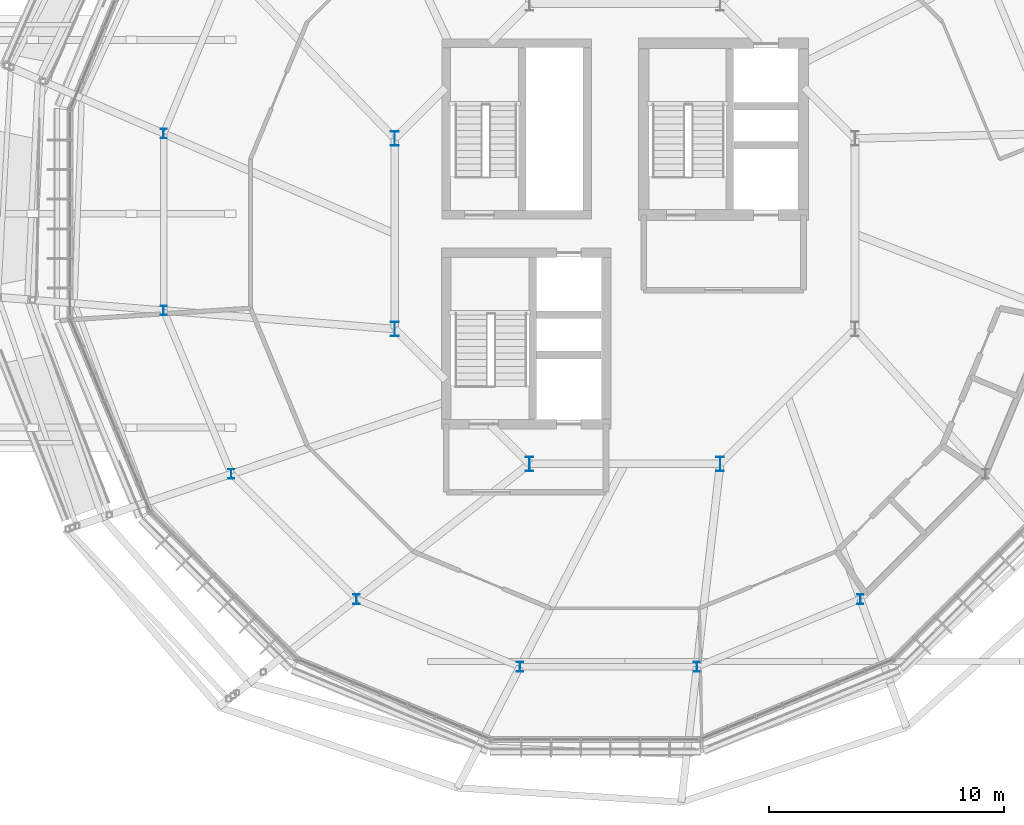
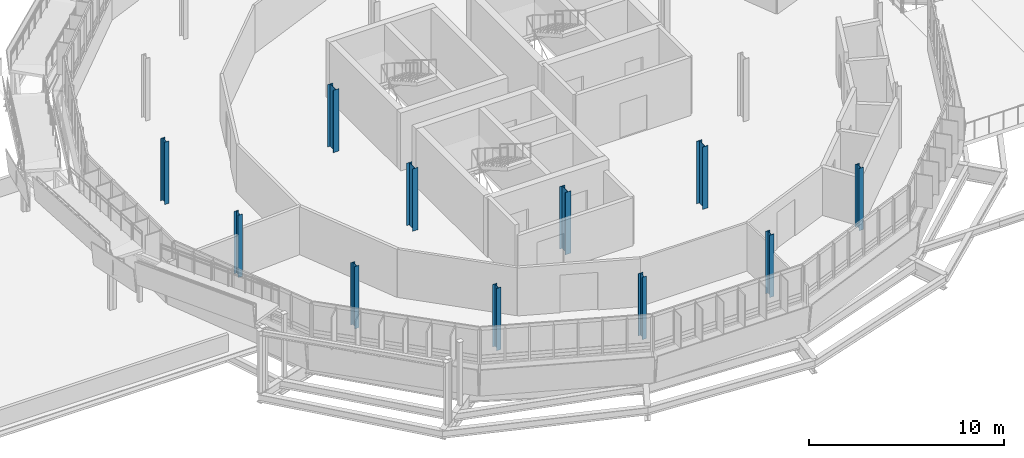
# One storey, part 1 of 61: 11 columns.
"""IFC4 building model written with IfcOpenShell, lengths in metres."""

from ifc_helpers import new_model, si_unit, derived_unit, direction, frame, origin, origin_2d, place, context, subcontext, project, spatial, i_section, extrude, material, material_profile, profile_set, type_object, element, save


model = new_model("IFC4")

# Units and contexts
model_context = context("Model", 3, precision=1e-05, world=origin(), true_north=direction((0.0, 1.0)))
body_context = subcontext(model_context, "Body", "Model", "MODEL_VIEW")
ifc_project = project(units=[si_unit("LENGTHUNIT", "METRE"), si_unit("AREAUNIT", "SQUARE_METRE"), si_unit("VOLUMEUNIT", "CUBIC_METRE"), si_unit("PLANEANGLEUNIT", "RADIAN"), si_unit("MASSUNIT", "GRAM", prefix="KILO"), derived_unit("THERMALTRANSMITTANCEUNIT", [(si_unit("MASSUNIT", "GRAM", prefix="KILO"), 1), (si_unit("TIMEUNIT", "SECOND"), -3), (si_unit("THERMODYNAMICTEMPERATUREUNIT", "KELVIN"), -1)])], contexts=[model_context])

# Site, building, storey
site_placement = place(None, origin())
site = spatial("IfcSite", under=ifc_project, at=site_placement, CompositionType="ELEMENT")
building_placement = place(site_placement, origin())
building = spatial("IfcBuilding", under=site, at=building_placement, Name="Makaiwela Harbour Ferry Terminal", CompositionType="ELEMENT")
storey_placement = place(building_placement, frame((0.0, 0.0, 13.800048828125)))
storey = spatial("IfcBuildingStorey", under=building, at=storey_placement, Name="L03", CompositionType="ELEMENT", Elevation=13.800048828125)

# Columns
ifc_material = material(Name="Steel ASTM A992 Grade 50", Category="steel")
ifc_material_profile_1 = material_profile(ifc_material, i_section(OverallWidth=0.260986328125, OverallDepth=0.4189453125, WebThickness=0.01171875, FlangeThickness=0.019287109375, at=origin_2d()), Name="W16X77")
ifc_profile_set_1 = profile_set([ifc_material_profile_1], Name="Steel ASTM A992 Grade 50")
column_type_1 = type_object("IfcColumnType", Name="STR-COL-W16X77", PredefinedType="COLUMN", material=ifc_profile_set_1)
for number, where, z_axis, x_axis, name in (
    (1, (18.1708984375, 71.865234375, 0.0), (0.0, 0.0, 1.0), (1.0, 0.0, 0.0), "Structural Column C-04"),
    (2, (18.1708984375, 64.334716796875, 0.0), (0.0, 0.0, 1.0), (1.0, 0.0, 0.0), "Structural Column C-04"),
    (3, (21.052490234375, 57.37744140625, 0.0), (0.0, 0.0, 1.0), (1.0, 0.0, 0.0), "Structural Column C-04"),
    (4, (26.37744140625, 52.052490234375, 0.0), (0.0, 0.0, 1.0), (1.0, 0.0, 0.0), "Structural Column C-04"),
    (5, (33.334716796875, 49.1708984375, 0.0), (0.0, 0.0, 1.0), (1.0, 0.0, 0.0), "Structural Column C-04"),
    (6, (40.865234375, 49.1708984375, 0.0), (0.0, 0.0, 1.0), (1.0, 0.0, 0.0), "Structural Column C-04"),
    (7, (47.822509765625, 52.052490234375, 0.0), (0.0, 0.0, 1.0), (1.0, 0.0, 0.0), "Structural Column C-04"),
):
    element("IfcColumn", number, at=place(storey_placement, frame(where, z_axis=z_axis, x_axis=x_axis)), inside=storey, type_object=column_type_1, Name=name, PredefinedType="COLUMN", context=body_context, shape_type="SweptSolid", body=[
        extrude(i_section(OverallWidth=0.260986328125, OverallDepth=0.4189453125, WebThickness=0.01171875, FlangeThickness=0.019287109375, at=origin_2d()), origin(), (0.0, 0.0, 1.0), 3.89990234375),
    ])
ifc_material_profile_2 = material_profile(ifc_material, i_section(OverallWidth=0.324951171875, OverallDepth=0.615966796875, WebThickness=0.013916015625, FlangeThickness=0.021484375, at=origin_2d()), Name="W24X117")
ifc_profile_set_2 = profile_set([ifc_material_profile_2], Name="Steel ASTM A992 Grade 50")
column_type_2 = type_object("IfcColumnType", Name="STR-COL-W24X117", PredefinedType="COLUMN", material=ifc_profile_set_2)
for number, where, z_axis, x_axis, name in (
    (8, (28.0068359375, 71.656494140625, 0.0), (0.0, 0.0, 1.0), (1.0, 0.0, 0.0), "Structural Column C-02"),
    (9, (28.0068359375, 63.543701171875, 0.0), (0.0, 0.0, 1.0), (1.0, 0.0, 0.0), "Structural Column C-02"),
    (10, (33.74365234375, 57.806884765625, 0.0), (0.0, 0.0, 1.0), (1.0, 0.0, 0.0), "Structural Column C-02"),
    (11, (41.8564453125, 57.806884765625, 0.0), (0.0, 0.0, 1.0), (1.0, 0.0, 0.0), "Structural Column C-02"),
):
    element("IfcColumn", number, at=place(storey_placement, frame(where, z_axis=z_axis, x_axis=x_axis)), inside=storey, type_object=column_type_2, Name=name, PredefinedType="COLUMN", context=body_context, shape_type="SweptSolid", body=[
        extrude(i_section(OverallWidth=0.324951171875, OverallDepth=0.615966796875, WebThickness=0.013916015625, FlangeThickness=0.021484375, at=origin_2d()), origin(), (0.0, 0.0, 1.0), 3.89990234375),
    ])

save(model, "model.ifc")
